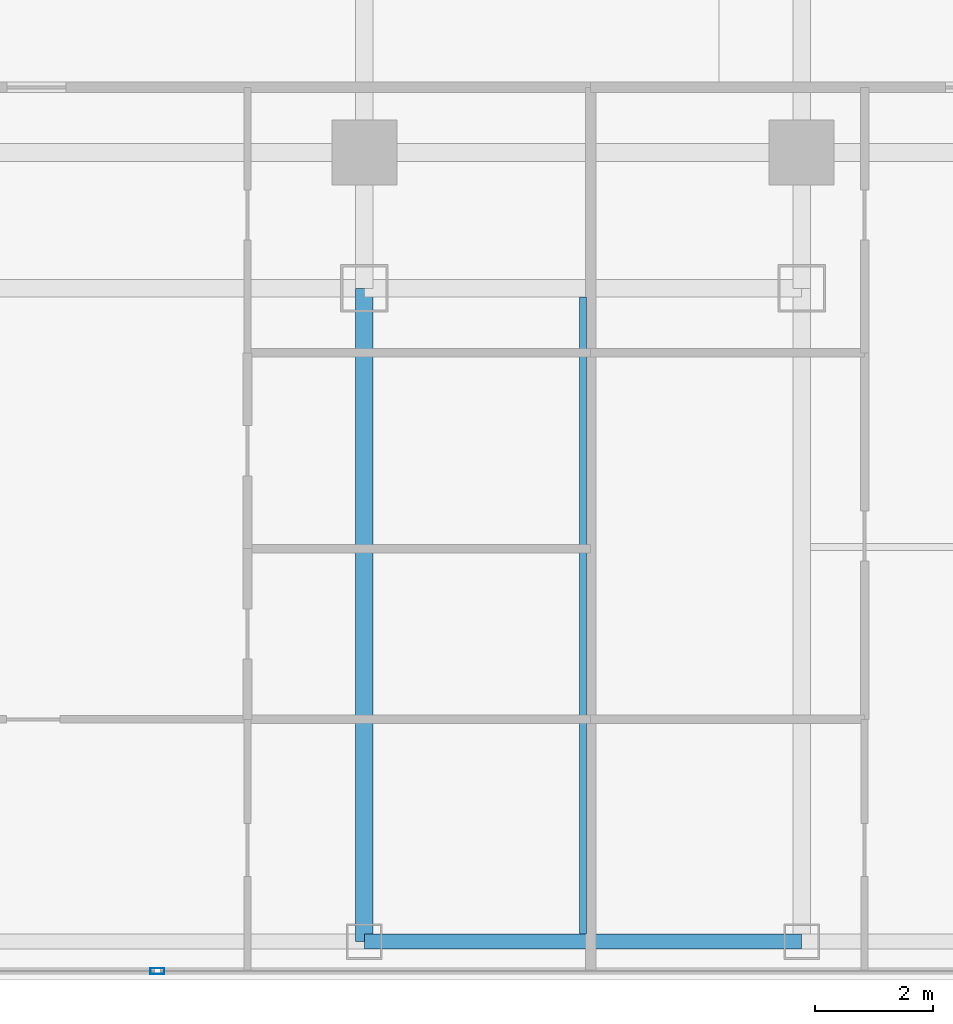
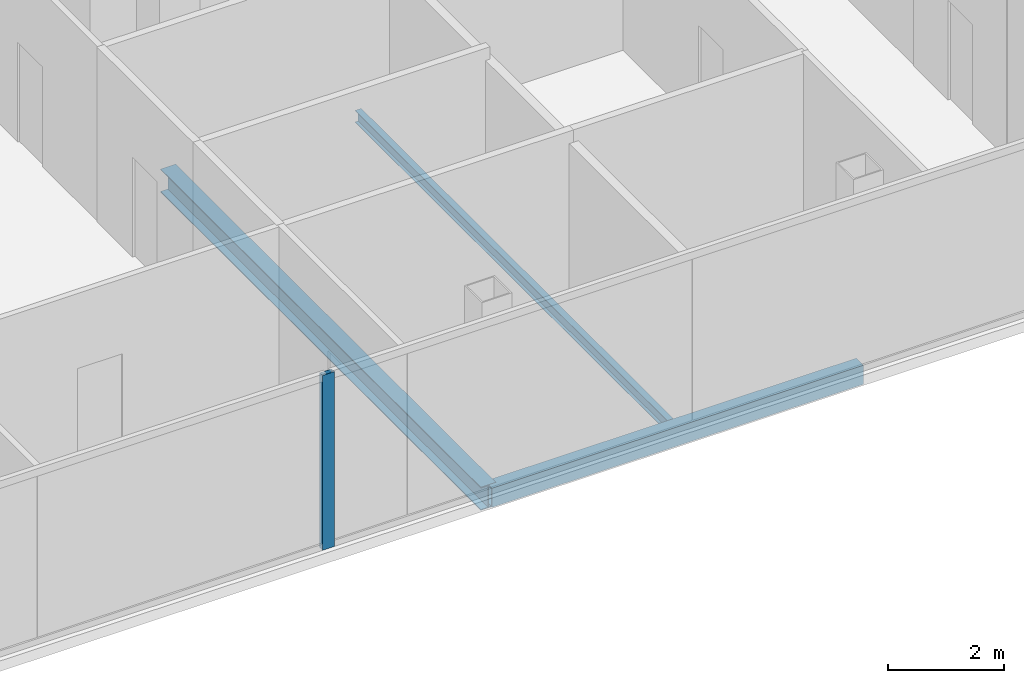
# One storey, part 4 of 27: 3 beams, 1 member, 1 element without a shape of its own.
"""IFC4 building model written with IfcOpenShell, lengths in metres."""

from ifc_helpers import new_model, si_unit, direction, frame, origin, origin_2d, place, context, subcontext, project, spatial, hollow_rectangle, i_section, extrude, material, layer, layer_set, material_profile, profile_set, type_object, element, aggregate, save


model = new_model("IFC4")

# Units and contexts
model_context = context("Model", 3, precision=1e-05, world=origin(), true_north=direction((0.0, 1.0)))
body_context = subcontext(model_context, "Body", "Model", "MODEL_VIEW")
ifc_project = project(units=[si_unit("LENGTHUNIT", "METRE"), si_unit("AREAUNIT", "SQUARE_METRE"), si_unit("VOLUMEUNIT", "CUBIC_METRE"), si_unit("PLANEANGLEUNIT", "RADIAN"), si_unit("MASSUNIT", "GRAM", prefix="KILO")], contexts=[model_context])

# Site, building, storey
site_placement = place(None, origin())
site = spatial("IfcSite", under=ifc_project, at=site_placement, CompositionType="ELEMENT")
building_placement = place(site_placement, origin())
building = spatial("IfcBuilding", under=site, at=building_placement, Name="Khorvyn Point Tower", CompositionType="ELEMENT")
storey_placement = place(building_placement, frame((0.0, 0.0, 227.39990234375)))
storey = spatial("IfcBuildingStorey", under=building, at=storey_placement, Name="L56", CompositionType="ELEMENT", Elevation=227.39990234375)

# Curtain wall, member
ifc_material_1 = material(Name="Anodised aluminium 6063-T6 and laminated Low-E glass", Category="aluminium")
ifc_layer = layer(ifc_material_1, 0.18994140625)
ifc_layer_set = layer_set([ifc_layer], Name="Stick-Built Acoustic Curtain Wall CW-SYS-03")
curtain_wall_type = type_object("IfcCurtainWallType", Name="Stick-Built Acoustic Curtain Wall CW-SYS-03", PredefinedType="NOTDEFINED", material=ifc_layer_set)
curtain_wall_placement = place(storey_placement, origin())
curtain_wall = element("IfcCurtainWall", 1, at=curtain_wall_placement, inside=storey, type_object=curtain_wall_type, Name="Curtain Wall", PredefinedType="NOTDEFINED")
ifc_material_2 = material(Name="Anodised aluminium 6063-T6", Category="aluminium")
ifc_material_profile_1 = material_profile(ifc_material_2, hollow_rectangle(XDim=0.10009765625, YDim=0.239990234375, WallThickness=0.0048828125, at=origin_2d()))
ifc_profile_set_1 = profile_set([ifc_material_profile_1], Name="Anodised aluminium 6063-T6 ALU-MUL-100x240")
member_type = type_object("IfcMemberType", Name="Anodised Aluminium 6063-T6 Mullion ALU-MUL-100x240", PredefinedType="MULLION", material=ifc_profile_set_1)
member_placement = place(storey_placement, frame((3.89990234375, -28.64990234375, 0.0), z_axis=(0.0, 0.0, 1.0), x_axis=(0.0, -1.0, 0.0)))
member = element("IfcMember", 2, at=member_placement, type_object=member_type, Name="Transom", PredefinedType="MULLION", context=body_context, shape_type="SweptSolid", body=[
    extrude(hollow_rectangle(XDim=0.10009765625, YDim=0.239990234375, WallThickness=0.0048828125, at=origin_2d()), origin(), (0.0, 0.0, 1.0), 3.68017578125),
])
aggregate(curtain_wall, [member])

# Beams
ifc_material_3 = material(Name="Steel S355", Category="steel")
ifc_material_profile_2 = material_profile(ifc_material_3, i_section(OverallWidth=0.125, OverallDepth=0.25, WebThickness=0.006103515625, FlangeThickness=0.009033203125, at=origin_2d()))
ifc_profile_set_2 = profile_set([ifc_material_profile_2], Name="Steel S355 H250x125x6x9")
beam_type_1 = type_object("IfcBeamType", Name="Steel S355 Joist H250x125x6x9", PredefinedType="JOIST", material=ifc_profile_set_2)
beam_1_placement = place(storey_placement, frame((11.10009765625, -28.02490234375, -0.344970703125), z_axis=(0.0, 1.0, 0.0), x_axis=(-1.0, 0.0, 0.0)))
element("IfcBeam", 3, at=beam_1_placement, inside=storey, type_object=beam_type_1, Name="Beam", PredefinedType="JOIST", context=body_context, shape_type="SweptSolid", body=[
    extrude(i_section(OverallWidth=0.125, OverallDepth=0.25, WebThickness=0.006103515625, FlangeThickness=0.009033203125, at=origin_2d()), origin(), (0.0, 0.0, 1.0), 10.77490234375),
])
ifc_material_profile_3 = material_profile(ifc_material_3, i_section(OverallWidth=0.300048828125, OverallDepth=0.488037109375, WebThickness=0.010986328125, FlangeThickness=0.01806640625, at=origin_2d()))
ifc_profile_set_3 = profile_set([ifc_material_profile_3], Name="Steel S355 H488x300x11x18")
beam_type_2 = type_object("IfcBeamType", Name="Steel S355 Spandrel H488x300x11x18", PredefinedType="SPANDREL", material=ifc_profile_set_3)
beam_2_placement = place(storey_placement, frame((7.39990234375, -28.14990234375, -0.4638671875), z_axis=(0.0, 1.0, 0.0), x_axis=(-1.0, 0.0, 0.0)))
element("IfcBeam", 4, at=beam_2_placement, inside=storey, type_object=beam_type_2, Name="Beam", PredefinedType="SPANDREL", context=body_context, shape_type="SweptSolid", body=[
    extrude(i_section(OverallWidth=0.300048828125, OverallDepth=0.488037109375, WebThickness=0.010986328125, FlangeThickness=0.01806640625, at=origin_2d()), origin(), (0.0, 0.0, 1.0), 11.0498046875),
])
ifc_material_profile_4 = material_profile(ifc_material_3, hollow_rectangle(XDim=0.25, YDim=0.39990234375, WallThickness=0.01611328125, at=origin_2d()))
ifc_profile_set_4 = profile_set([ifc_material_profile_4], Name="Steel S355 RHS400x250x16")
beam_type_3 = type_object("IfcBeamType", Name="Steel S355 Spandrel RHS400x250x16", PredefinedType="SPANDREL", material=ifc_profile_set_4)
beam_3_placement = place(storey_placement, frame((7.39990234375, -28.14990234375, -0.419921875), z_axis=(1.0, 0.0, 0.0), x_axis=(0.0, 1.0, 0.0)))
element("IfcBeam", 5, at=beam_3_placement, inside=storey, type_object=beam_type_3, Name="Beam", PredefinedType="SPANDREL", context=body_context, shape_type="SweptSolid", body=[
    extrude(hollow_rectangle(XDim=0.25, YDim=0.39990234375, WallThickness=0.01611328125, at=origin_2d()), origin(), (0.0, 0.0, 1.0), 7.400146484375),
])

save(model, "model.ifc")
